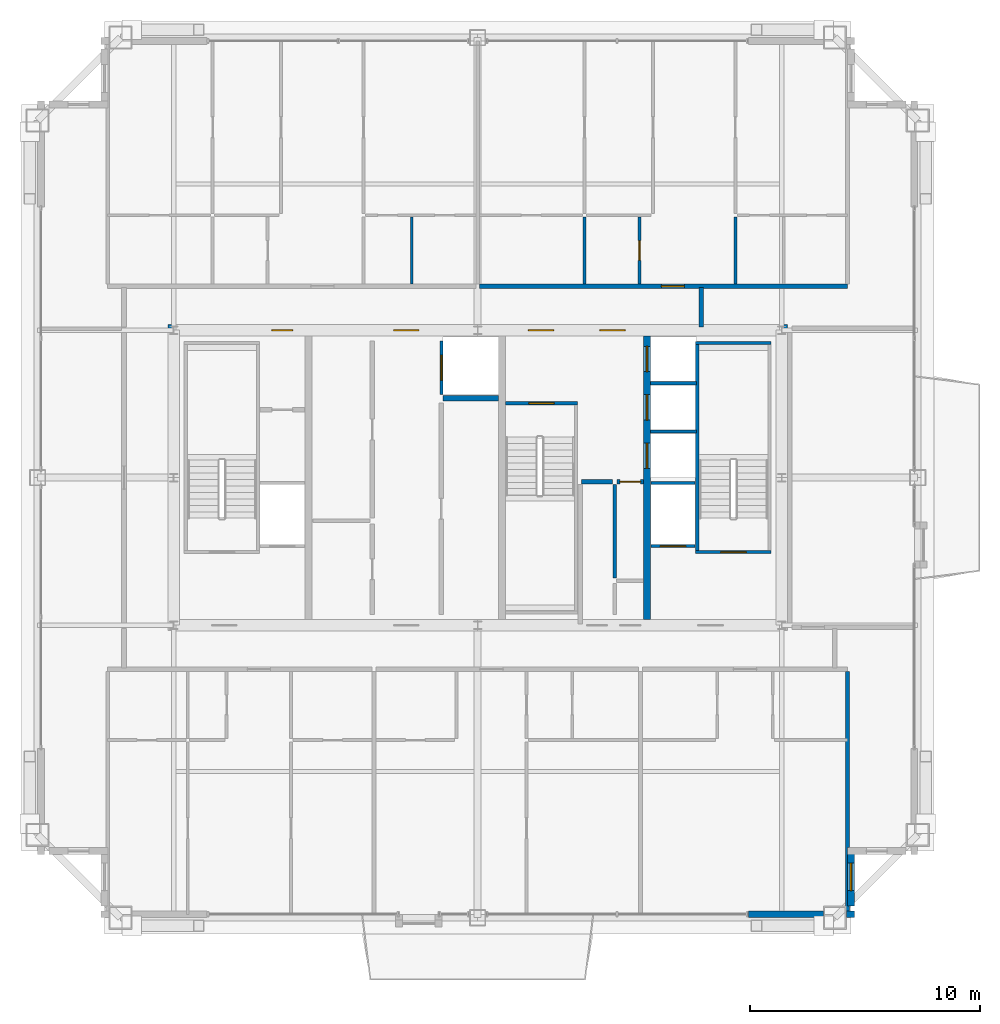
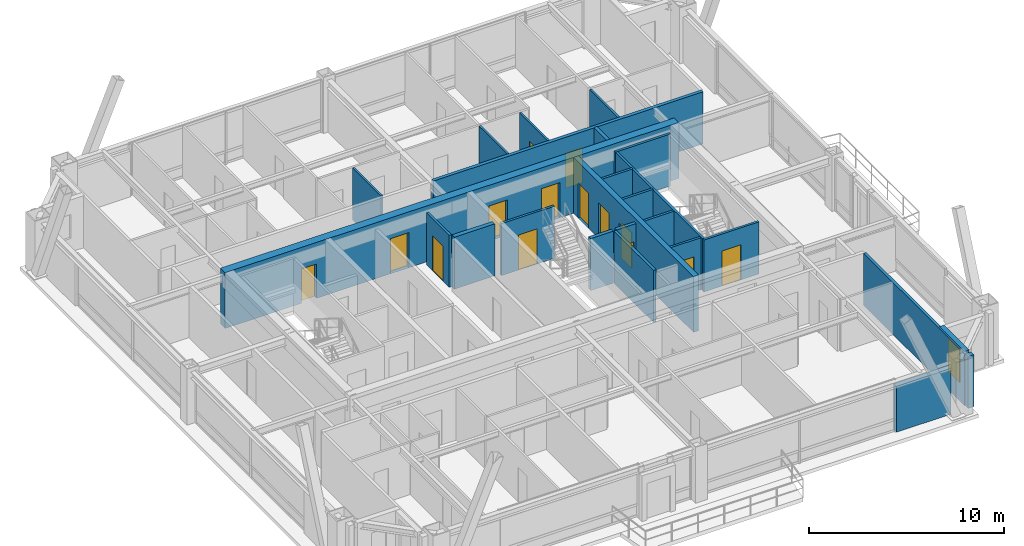
# One storey, part 32 of 35: 25 walls, 14 doors, 1 window, 15 openings.
"""IFC4 building model written with IfcOpenShell, lengths in metres."""

from ifc_helpers import new_model, si_unit, direction, frame, frame_2d, origin, place, context, subcontext, project, spatial, rectangle, extrude, source, transform, mapped, material, layer, layer_set, type_object, element, fill, save


model = new_model("IFC4")

# Units and contexts
model_context = context("Model", 3, precision=1e-05, world=origin(), true_north=direction((0.0, 1.0)))
body_context = subcontext(model_context, "Body", "Model", "MODEL_VIEW")
ifc_project = project(units=[si_unit("LENGTHUNIT", "METRE"), si_unit("AREAUNIT", "SQUARE_METRE"), si_unit("VOLUMEUNIT", "CUBIC_METRE"), si_unit("PLANEANGLEUNIT", "RADIAN"), si_unit("MASSUNIT", "GRAM", prefix="KILO"), si_unit("THERMODYNAMICTEMPERATUREUNIT", "KELVIN"), si_unit("POWERUNIT", "WATT")], contexts=[model_context])

# Site, building, storey
site_placement = place(None, origin())
site = spatial("IfcSite", under=ifc_project, at=site_placement, CompositionType="ELEMENT")
building_placement = place(site_placement, origin())
building = spatial("IfcBuilding", under=site, at=building_placement, Name="Yuzanri Waterfront Tower", CompositionType="ELEMENT")
storey_placement = place(building_placement, frame((0.0, 0.0, 335.699951171875)))
storey = spatial("IfcBuildingStorey", under=building, at=storey_placement, Name="L90", CompositionType="ELEMENT", Elevation=335.699951171875)

# Wall, opening, door
ifc_material_1 = material(Name="Moisture-Resistant Gypsum Stud Wall", Category="gypsum")
ifc_layer_1 = layer(ifc_material_1, 0.1201171875)
ifc_layer_set_1 = layer_set([ifc_layer_1], Name="Moisture-Resistant Gypsum Stud Wall")
wall_type_1 = type_object("IfcWallType", Name="Bathroom and Kitchen Wet Partition 120", PredefinedType="PARTITIONING", material=ifc_layer_set_1)
wall_1_placement = place(storey_placement, frame((44.02197265625, 34.2099609375, 0.0), z_axis=(0.0, 0.0, 1.0), x_axis=(0.0, 1.0, 0.0)))
wall_1 = element("IfcWall", 1, at=wall_1_placement, inside=storey, type_object=wall_type_1, Name="L90 Partition UW-L90-HN2-SUB-2-E", PredefinedType="PARTITIONING", context=body_context, shape_type="SweptSolid", body=[
    extrude(rectangle(XDim=2.900146484375, YDim=0.1201171875, at=frame_2d((1.4501953125, 0.0))), origin(), (0.0, 0.0, 1.0), 3.260009765625),
])
opening_1_placement = place(wall_1_placement, frame((1.02490234375, 0.0, 0.0)))
opening_1 = element("IfcOpeningElement", 2, at=opening_1_placement, cuts=wall_1, Name="Opening ID-0850", PredefinedType="OPENING", context=body_context, shape_type="SweptSolid", body=[
    extrude(rectangle(XDim=0.85009765625, YDim=2.10009765625, at=frame_2d((0.425048828125, 1.050048828125))), frame((0.0, 0.074951171875, 0.0), z_axis=(0.0, -1.0, 0.0), x_axis=(1.0, 0.0, 0.0)), (0.0, 0.0, 1.0), 0.14990234375),
])
ifc_material_2 = material(Name="Moisture-Resistant Lacquered Timber", Category="wood")
door_type_1 = type_object("IfcDoorType", Name="En-Suite Bathroom and Kitchen Swing Door 850x2100", OperationType="NOTDEFINED", PredefinedType="DOOR", material=ifc_material_2)
shared_shape_1 = source(origin(), body_context, "Body", "SweptSolid", [
    extrude(rectangle(XDim=0.85009765625, YDim=2.10009765625, at=frame_2d((0.425048828125, 1.050048828125))), frame((0.0, 0.02490234375, 0.0), z_axis=(0.0, -1.0, 0.0), x_axis=(1.0, 0.0, 0.0)), (0.0, 0.0, 1.0), 0.050048828125),
])
door_1_placement = place(opening_1_placement, origin())
door_1 = element("IfcDoor", 3, at=door_1_placement, inside=storey, type_object=door_type_1, Name="L90 Suite Interior Room Door", OperationType="SINGLE_SWING_RIGHT", OverallHeight=2.10009765625, OverallWidth=0.85009765625, PredefinedType="DOOR", context=body_context, shape_type="MappedRepresentation", body=[
    mapped(shared_shape_1, transform((0.0, 0.0, 0.0), scale=1.0)),
])
fill(opening_1, door_1)

# Wall, opening, window
ifc_material_3 = material(Name="Honed Chongqing Dark Basalt Stone", Category="masonry")
ifc_layer_2 = layer(ifc_material_3, 0.300048828125)
ifc_layer_set_2 = layer_set([ifc_layer_2], Name="Honed Chongqing Dark Basalt Stone")
wall_type_2 = type_object("IfcWallType", Name="Bronze Rainscreen Insulated Spandrel Portal Wall 300", PredefinedType="SOLIDWALL", material=ifc_layer_set_2)
wall_2_placement = place(storey_placement, frame((53.199951171875, 7.199951171875, 0.0), z_axis=(0.0, 0.0, 1.0), x_axis=(0.0, 1.0, 0.0)))
wall_2 = element("IfcWall", 4, at=wall_2_placement, inside=storey, type_object=wall_type_2, Name="L90 Notched Corner Masonry Wall SE-Y", PredefinedType="SOLIDWALL", context=body_context, shape_type="SweptSolid", body=[
    extrude(rectangle(XDim=2.550048828125, YDim=0.300048828125, at=frame_2d((1.27490234375, 0.0))), origin(), (0.0, 0.0, 1.0), 3.260009765625),
])
opening_2_placement = place(wall_2_placement, frame((0.675048828125, 0.0, 0.85009765625)))
opening_2 = element("IfcOpeningElement", 5, at=opening_2_placement, cuts=wall_2, Name="Opening WN-02", PredefinedType="OPENING", context=body_context, shape_type="SweptSolid", body=[
    extrude(rectangle(XDim=1.199951171875, YDim=2.10009765625, at=frame_2d((0.60009765625, 1.050048828125))), frame((0.0, 0.1650390625, 0.0), z_axis=(0.0, -1.0, 0.0), x_axis=(1.0, 0.0, 0.0)), (0.0, 0.0, 1.0), 0.329833984375),
])
ifc_material_4 = material(Name="Double-Silver Low-E Insulated Glass", Category="glass")
window_type = type_object("IfcWindowType", Name="Anodized Bronze Notched Corner Deep-Set Slot Window 1200x2100", PartitioningType="SINGLE_PANEL", PredefinedType="WINDOW", material=ifc_material_4)
shared_shape_2 = source(origin(), body_context, "Body", "SweptSolid", [
    extrude(rectangle(XDim=1.199951171875, YDim=2.10009765625, at=frame_2d((0.60009765625, 1.050048828125))), frame((0.0, 0.030029296875, 0.0), z_axis=(0.0, -1.0, 0.0), x_axis=(1.0, 0.0, 0.0)), (0.0, 0.0, 1.0), 0.06005859375),
])
window_placement = place(opening_2_placement, origin())
window = element("IfcWindow", 6, at=window_placement, inside=storey, type_object=window_type, Name="L90 Notched Corner Window SE-Y", OverallHeight=2.10009765625, OverallWidth=1.199951171875, PartitioningType="SINGLE_PANEL", PredefinedType="WINDOW", context=body_context, shape_type="MappedRepresentation", body=[
    mapped(shared_shape_2, transform((0.0, 0.0, 0.0), scale=1.0)),
])
fill(opening_2, window)

# Wall, openings, doors
ifc_material_5 = material(Name="Concrete C45", Category="concrete")
ifc_layer_3 = layer(ifc_material_5, 0.47998046875)
ifc_layer_set_3 = layer_set([ifc_layer_3], Name="Concrete C45")
wall_type_3 = type_object("IfcWallType", Name="Concrete C45 High-Rise Core Shear Wall 480", PredefinedType="SHEAR", material=ifc_layer_set_3)
wall_3_placement = place(storey_placement, frame((23.56005859375, 32.199951171875, 0.0), z_axis=(0.0, 0.0, 1.0), x_axis=(1.0, 0.0, 0.0)))
wall_3 = element("IfcWall", 7, at=wall_3_placement, inside=storey, type_object=wall_type_3, Name="L90 Core North Shear Wall", PredefinedType="SHEAR", context=body_context, shape_type="SweptSolid", body=[
    extrude(rectangle(XDim=26.8798828125, YDim=0.47998046875, at=frame_2d((13.43994140625, 0.0))), origin(), (0.0, 0.0, 1.0), 3.5),
])
opening_3_placement = place(wall_3_placement, frame((4.510009765625, 0.0, 0.0)))
opening_3 = element("IfcOpeningElement", 8, at=opening_3_placement, cuts=wall_3, Name="Opening FD-0900", PredefinedType="OPENING", context=body_context, shape_type="SweptSolid", body=[
    extrude(rectangle(XDim=0.89990234375, YDim=2.14990234375, at=frame_2d((0.449951171875, 1.074951171875))), frame((0.0, 0.2548828125, 0.0), z_axis=(0.0, -1.0, 0.0), x_axis=(1.0, 0.0, 0.0)), (0.0, 0.0, 1.0), 0.509765625),
])
opening_4_placement = place(wall_3_placement, frame((9.7900390625, 0.0, 0.0)))
opening_4 = element("IfcOpeningElement", 9, at=opening_4_placement, cuts=wall_3, Name="Opening FD-1100", PredefinedType="OPENING", context=body_context, shape_type="SweptSolid", body=[
    extrude(rectangle(XDim=1.10009765625, YDim=2.199951171875, at=frame_2d((0.550048828125, 1.10009765625))), frame((0.0, 0.2548828125, 0.0), z_axis=(0.0, -1.0, 0.0), x_axis=(1.0, 0.0, 0.0)), (0.0, 0.0, 1.0), 0.509765625),
])
opening_5_placement = place(wall_3_placement, frame((15.639892578125, 0.0, 0.0)))
opening_5 = element("IfcOpeningElement", 10, at=opening_5_placement, cuts=wall_3, Name="Opening FD-1100", PredefinedType="OPENING", context=body_context, shape_type="SweptSolid", body=[
    extrude(rectangle(XDim=1.10009765625, YDim=2.199951171875, at=frame_2d((0.550048828125, 1.10009765625))), frame((0.0, 0.2548828125, 0.0), z_axis=(0.0, -1.0, 0.0), x_axis=(1.0, 0.0, 0.0)), (0.0, 0.0, 1.0), 0.509765625),
])
opening_6_placement = place(wall_3_placement, frame((18.739990234375, 0.0, 0.0)))
opening_6 = element("IfcOpeningElement", 11, at=opening_6_placement, cuts=wall_3, Name="Opening FD-1100", PredefinedType="OPENING", context=body_context, shape_type="SweptSolid", body=[
    extrude(rectangle(XDim=1.10009765625, YDim=2.199951171875, at=frame_2d((0.550048828125, 1.10009765625))), frame((0.0, 0.2548828125, 0.0), z_axis=(0.0, -1.0, 0.0), x_axis=(1.0, 0.0, 0.0)), (0.0, 0.0, 1.0), 0.509765625),
])
ifc_material_6 = material(Name="Painted Galvanized Fire Steel", Category="steel")
door_type_2 = type_object("IfcDoorType", Name="Smoke-Proof Stair and Lobby Fire Door 1100x2200", OperationType="NOTDEFINED", PredefinedType="DOOR", material=ifc_material_6)
shared_shape_3 = source(origin(), body_context, "Body", "SweptSolid", [
    extrude(rectangle(XDim=1.10009765625, YDim=2.199951171875, at=frame_2d((0.550048828125, 1.10009765625))), frame((0.0, 0.02490234375, 0.0), z_axis=(0.0, -1.0, 0.0), x_axis=(1.0, 0.0, 0.0)), (0.0, 0.0, 1.0), 0.050048828125),
])
door_2_placement = place(opening_4_placement, origin())
door_2 = element("IfcDoor", 12, at=door_2_placement, inside=storey, type_object=door_type_2, Name="L90 Central Lift Lobby North Door", OperationType="SINGLE_SWING_RIGHT", OverallHeight=2.199951171875, OverallWidth=1.10009765625, PredefinedType="DOOR", context=body_context, shape_type="MappedRepresentation", body=[
    mapped(shared_shape_3, transform((0.0, 0.0, 0.0), scale=1.0)),
])
fill(opening_4, door_2)
door_3_placement = place(opening_5_placement, origin())
door_3 = element("IfcDoor", 13, at=door_3_placement, inside=storey, type_object=door_type_2, Name="L90 North Stair Lobby Door", OperationType="SINGLE_SWING_LEFT", OverallHeight=2.199951171875, OverallWidth=1.10009765625, PredefinedType="DOOR", context=body_context, shape_type="MappedRepresentation", body=[
    mapped(shared_shape_3, transform((0.0, 0.0, 0.0), scale=1.0)),
])
fill(opening_5, door_3)
door_4_placement = place(opening_6_placement, origin())
door_4 = element("IfcDoor", 14, at=door_4_placement, inside=storey, type_object=door_type_2, Name="L90 High-Rise Lift Lobby North Door", OperationType="SINGLE_SWING_RIGHT", OverallHeight=2.199951171875, OverallWidth=1.10009765625, PredefinedType="DOOR", context=body_context, shape_type="MappedRepresentation", body=[
    mapped(shared_shape_3, transform((0.0, 0.0, 0.0), scale=1.0)),
])
fill(opening_6, door_4)
ifc_material_7 = material(Name="Painted Galvanized Fire Steel", Category="steel")
door_type_3 = type_object("IfcDoorType", Name="Riser and Service Room Fire Door 900x2150", OperationType="NOTDEFINED", PredefinedType="DOOR", material=ifc_material_7)
shared_shape_4 = source(origin(), body_context, "Body", "SweptSolid", [
    extrude(rectangle(XDim=0.89990234375, YDim=2.14990234375, at=frame_2d((0.449951171875, 1.074951171875))), frame((0.0, 0.02490234375, 0.0), z_axis=(0.0, -1.0, 0.0), x_axis=(1.0, 0.0, 0.0)), (0.0, 0.0, 1.0), 0.050048828125),
])
door_5_placement = place(opening_3_placement, origin())
door_5 = element("IfcDoor", 15, at=door_5_placement, inside=storey, type_object=door_type_3, Name="L90 Telecom Riser Door", OperationType="SINGLE_SWING_LEFT", OverallHeight=2.14990234375, OverallWidth=0.89990234375, PredefinedType="DOOR", context=body_context, shape_type="MappedRepresentation", body=[
    mapped(shared_shape_4, transform((0.0, 0.0, 0.0), scale=1.0)),
])
fill(opening_3, door_5)

ifc_material_8 = material(Name="Concrete C50", Category="concrete")
ifc_layer_4 = layer(ifc_material_8, 0.300048828125)
ifc_layer_set_4 = layer_set([ifc_layer_4], Name="Concrete C50")
wall_type_4 = type_object("IfcWallType", Name="Concrete C50 Internal Core Shaft Structural Wall 300", PredefinedType="SOLIDWALL", material=ifc_layer_set_4)
wall_4_placement = place(storey_placement, frame((44.35009765625, 19.639892578125, 0.0), z_axis=(0.0, 0.0, 1.0), x_axis=(0.0, 1.0, 0.0)))
wall_4 = element("IfcWall", 16, at=wall_4_placement, inside=storey, type_object=wall_type_4, Name="L90 Core Internal Structural Web Wall 3", PredefinedType="SOLIDWALL", context=body_context, shape_type="SweptSolid", body=[
    extrude(rectangle(XDim=12.320068359375, YDim=0.300048828125, at=frame_2d((6.16015625, 0.0))), origin(), (0.0, 0.0, 1.0), 3.5),
])
opening_7_placement = place(wall_4_placement, frame((6.56005859375, 0.0, 0.0)))
opening_7 = element("IfcOpeningElement", 17, at=opening_7_placement, cuts=wall_4, Name="Opening LD-PL-09", PredefinedType="OPENING", context=body_context, shape_type="SweptSolid", body=[
    extrude(rectangle(XDim=1.10009765625, YDim=2.199951171875, at=frame_2d((0.550048828125, 1.10009765625))), frame((0.0, 0.1650390625, 0.0), z_axis=(0.0, -1.0, 0.0), x_axis=(1.0, 0.0, 0.0)), (0.0, 0.0, 1.0), 0.329833984375),
])
opening_8_placement = place(wall_4_placement, frame((8.659912109375, 0.0, 0.0)))
opening_8 = element("IfcOpeningElement", 18, at=opening_8_placement, cuts=wall_4, Name="Opening LD-PL-10", PredefinedType="OPENING", context=body_context, shape_type="SweptSolid", body=[
    extrude(rectangle(XDim=1.10009765625, YDim=2.199951171875, at=frame_2d((0.550048828125, 1.10009765625))), frame((0.0, 0.1650390625, 0.0), z_axis=(0.0, -1.0, 0.0), x_axis=(1.0, 0.0, 0.0)), (0.0, 0.0, 1.0), 0.329833984375),
])
opening_9_placement = place(wall_4_placement, frame((10.760009765625, 0.0, 0.0)))
opening_9 = element("IfcOpeningElement", 19, at=opening_9_placement, cuts=wall_4, Name="Opening LD-PL-11", PredefinedType="OPENING", context=body_context, shape_type="SweptSolid", body=[
    extrude(rectangle(XDim=1.10009765625, YDim=2.199951171875, at=frame_2d((0.550048828125, 1.10009765625))), frame((0.0, 0.1650390625, 0.0), z_axis=(0.0, -1.0, 0.0), x_axis=(1.0, 0.0, 0.0)), (0.0, 0.0, 1.0), 0.329833984375),
])
ifc_material_9 = material(Name="Brushed Bronze and Stainless Steel Cab", Category="steel")
door_type_4 = type_object("IfcDoorType", Name="Center-Parting Bronze Lift Landing Sliding Door 1100x2200", OperationType="NOTDEFINED", PredefinedType="DOOR", material=ifc_material_9)
shared_shape_5 = source(origin(), body_context, "Body", "SweptSolid", [
    extrude(rectangle(XDim=1.10009765625, YDim=2.199951171875, at=frame_2d((0.550048828125, 1.10009765625))), frame((0.0, 0.02490234375, 0.0), z_axis=(0.0, -1.0, 0.0), x_axis=(1.0, 0.0, 0.0)), (0.0, 0.0, 1.0), 0.050048828125),
])
door_6_placement = place(opening_7_placement, origin())
door_6 = element("IfcDoor", 20, at=door_6_placement, inside=storey, type_object=door_type_4, Name="L90 PL-09 Lift Landing Sliding Door", OperationType="SLIDING_TO_LEFT", OverallHeight=2.199951171875, OverallWidth=1.10009765625, PredefinedType="DOOR", context=body_context, shape_type="MappedRepresentation", body=[
    mapped(shared_shape_5, transform((0.0, 0.0, 0.0), scale=1.0)),
])
fill(opening_7, door_6)
door_7_placement = place(opening_8_placement, origin())
door_7 = element("IfcDoor", 21, at=door_7_placement, inside=storey, type_object=door_type_4, Name="L90 PL-10 Lift Landing Sliding Door", OperationType="SLIDING_TO_RIGHT", OverallHeight=2.199951171875, OverallWidth=1.10009765625, PredefinedType="DOOR", context=body_context, shape_type="MappedRepresentation", body=[
    mapped(shared_shape_5, transform((0.0, 0.0, 0.0), scale=1.0)),
])
fill(opening_8, door_7)
door_8_placement = place(opening_9_placement, origin())
door_8 = element("IfcDoor", 22, at=door_8_placement, inside=storey, type_object=door_type_4, Name="L90 PL-11 Lift Landing Sliding Door", OperationType="SLIDING_TO_LEFT", OverallHeight=2.199951171875, OverallWidth=1.10009765625, PredefinedType="DOOR", context=body_context, shape_type="MappedRepresentation", body=[
    mapped(shared_shape_5, transform((0.0, 0.0, 0.0), scale=1.0)),
])
fill(opening_9, door_8)

# Wall, opening, door
ifc_material_10 = material(Name="Concrete C40", Category="concrete")
ifc_layer_5 = layer(ifc_material_10, 0.139892578125)
ifc_layer_set_5 = layer_set([ifc_layer_5], Name="Concrete C40")
wall_type_5 = type_object("IfcWallType", Name="Core Stair Liner and Hoistway Shaft Wall 140", PredefinedType="SOLIDWALL", material=ifc_layer_set_5)
wall_5_placement = place(storey_placement, frame((44.52001953125, 22.830078125, 0.0), z_axis=(0.0, 0.0, 1.0), x_axis=(1.0, 0.0, 0.0)))
wall_5 = element("IfcWall", 23, at=wall_5_placement, inside=storey, type_object=wall_type_5, Name="L90 Lift FL-02 Front Shaft Wall", PredefinedType="SOLIDWALL", context=body_context, shape_type="SweptSolid", body=[
    extrude(rectangle(XDim=1.919921875, YDim=0.139892578125, at=frame_2d((0.9599609375, 0.0))), origin(), (0.0, 0.0, 1.0), 3.260009765625),
])
opening_10_placement = place(wall_5_placement, frame((0.409912109375, 0.0, 0.0)))
opening_10 = element("IfcOpeningElement", 24, at=opening_10_placement, cuts=wall_5, Name="Opening LD-FL-02", PredefinedType="OPENING", context=body_context, shape_type="SweptSolid", body=[
    extrude(rectangle(XDim=1.10009765625, YDim=2.199951171875, at=frame_2d((0.550048828125, 1.10009765625))), frame((0.0, 0.0849609375, 0.0), z_axis=(0.0, -1.0, 0.0), x_axis=(1.0, 0.0, 0.0)), (0.0, 0.0, 1.0), 0.169677734375),
])
door_9_placement = place(opening_10_placement, origin())
door_9 = element("IfcDoor", 25, at=door_9_placement, inside=storey, type_object=door_type_4, Name="L90 FL-02 Lift Landing Sliding Door", OperationType="SLIDING_TO_RIGHT", OverallHeight=2.199951171875, OverallWidth=1.10009765625, PredefinedType="DOOR", context=body_context, shape_type="MappedRepresentation", body=[
    mapped(shared_shape_5, transform((0.0, 0.0, 0.0), scale=1.0)),
])
fill(opening_10, door_9)

wall_6_placement = place(storey_placement, frame((35.429931640625, 29.39990234375, 0.0), z_axis=(0.0, 0.0, 1.0), x_axis=(0.0, 1.0, 0.0)))
wall_6 = element("IfcWall", 26, at=wall_6_placement, inside=storey, type_object=wall_type_5, Name="L90 Lift SL-02 Front Shaft Wall", PredefinedType="SOLIDWALL", context=body_context, shape_type="SweptSolid", body=[
    extrude(rectangle(XDim=2.340087890625, YDim=0.139892578125, at=frame_2d((1.169921875, 0.0))), origin(), (0.0, 0.0, 1.0), 3.260009765625),
])
opening_11_placement = place(wall_6_placement, frame((0.6201171875, 0.0, 0.0)))
opening_11 = element("IfcOpeningElement", 27, at=opening_11_placement, cuts=wall_6, Name="Opening LD-SL-02", PredefinedType="OPENING", context=body_context, shape_type="SweptSolid", body=[
    extrude(rectangle(XDim=1.10009765625, YDim=2.199951171875, at=frame_2d((0.550048828125, 1.10009765625))), frame((0.0, 0.0849609375, 0.0), z_axis=(0.0, -1.0, 0.0), x_axis=(1.0, 0.0, 0.0)), (0.0, 0.0, 1.0), 0.169677734375),
])
door_10_placement = place(opening_11_placement, origin())
door_10 = element("IfcDoor", 28, at=door_10_placement, inside=storey, type_object=door_type_4, Name="L90 SL-02 Lift Landing Sliding Door", OperationType="SLIDING_TO_RIGHT", OverallHeight=2.199951171875, OverallWidth=1.10009765625, PredefinedType="DOOR", context=body_context, shape_type="MappedRepresentation", body=[
    mapped(shared_shape_5, transform((0.0, 0.0, 0.0), scale=1.0)),
])
fill(opening_11, door_10)

wall_7_placement = place(storey_placement, frame((46.4599609375, 22.570068359375, 0.0), z_axis=(0.0, 0.0, 1.0), x_axis=(1.0, 0.0, 0.0)))
wall_7 = element("IfcWall", 29, at=wall_7_placement, inside=storey, type_object=wall_type_5, Name="L90 Shaft Wall STW-L90-ST-02-S", PredefinedType="SOLIDWALL", context=body_context, shape_type="SweptSolid", body=[
    extrude(rectangle(XDim=3.280029296875, YDim=0.139892578125, at=frame_2d((1.64013671875, 0.0))), origin(), (0.0, 0.0, 1.0), 3.260009765625),
])
opening_12_placement = place(wall_7_placement, frame((1.090087890625, 0.0, 0.0)))
opening_12 = element("IfcOpeningElement", 30, at=opening_12_placement, cuts=wall_7, Name="Opening FD-1100", PredefinedType="OPENING", context=body_context, shape_type="SweptSolid", body=[
    extrude(rectangle(XDim=1.10009765625, YDim=2.199951171875, at=frame_2d((0.550048828125, 1.10009765625))), frame((0.0, 0.0849609375, 0.0), z_axis=(0.0, -1.0, 0.0), x_axis=(1.0, 0.0, 0.0)), (0.0, 0.0, 1.0), 0.169677734375),
])
door_11_placement = place(opening_12_placement, origin())
door_11 = element("IfcDoor", 31, at=door_11_placement, inside=storey, type_object=door_type_2, Name="L90 Stair ST-02 Fire Door", OperationType="SINGLE_SWING_RIGHT", OverallHeight=2.199951171875, OverallWidth=1.10009765625, PredefinedType="DOOR", context=body_context, shape_type="MappedRepresentation", body=[
    mapped(shared_shape_3, transform((0.0, 0.0, 0.0), scale=1.0)),
])
fill(opening_12, door_11)

wall_8_placement = place(storey_placement, frame((38.199951171875, 29.030029296875, 0.0), z_axis=(0.0, 0.0, 1.0), x_axis=(1.0, 0.0, 0.0)))
wall_8 = element("IfcWall", 32, at=wall_8_placement, inside=storey, type_object=wall_type_5, Name="L90 Shaft Wall STW-L90-ST-03-N", PredefinedType="SOLIDWALL", context=body_context, shape_type="SweptSolid", body=[
    extrude(rectangle(XDim=3.14013671875, YDim=0.139892578125, at=frame_2d((1.570068359375, 0.0))), origin(), (0.0, 0.0, 1.0), 3.260009765625),
])
opening_13_placement = place(wall_8_placement, frame((1.02001953125, 0.0, 0.0)))
opening_13 = element("IfcOpeningElement", 33, at=opening_13_placement, cuts=wall_8, Name="Opening FD-1100", PredefinedType="OPENING", context=body_context, shape_type="SweptSolid", body=[
    extrude(rectangle(XDim=1.10009765625, YDim=2.199951171875, at=frame_2d((0.550048828125, 1.10009765625))), frame((0.0, 0.0849609375, 0.0), z_axis=(0.0, -1.0, 0.0), x_axis=(1.0, 0.0, 0.0)), (0.0, 0.0, 1.0), 0.169677734375),
])
door_12_placement = place(opening_13_placement, origin())
door_12 = element("IfcDoor", 34, at=door_12_placement, inside=storey, type_object=door_type_2, Name="L90 Stair ST-03 Fire Door", OperationType="SINGLE_SWING_LEFT", OverallHeight=2.199951171875, OverallWidth=1.10009765625, PredefinedType="DOOR", context=body_context, shape_type="MappedRepresentation", body=[
    mapped(shared_shape_3, transform((0.0, 0.0, 0.0), scale=1.0)),
])
fill(opening_13, door_12)

ifc_material_11 = material(Name="Autoclaved Aerated Concrete Blockwork", Category="masonry")
ifc_layer_6 = layer(ifc_material_11, 0.199951171875)
ifc_layer_set_6 = layer_set([ifc_layer_6], Name="Autoclaved Aerated Concrete Blockwork")
wall_type_6 = type_object("IfcWallType", Name="Corridor and Unit Party Fire Wall 200", PredefinedType="PARTITIONING", material=ifc_layer_set_6)
wall_9_placement = place(storey_placement, frame((43.050048828125, 25.6201171875, 0.0), z_axis=(0.0, 0.0, 1.0), x_axis=(1.0, 0.0, 0.0)))
wall_9 = element("IfcWall", 35, at=wall_9_placement, inside=storey, type_object=wall_type_6, Name="L90 Partition CRW-L90-BOHH-2", PredefinedType="PARTITIONING", context=body_context, shape_type="SweptSolid", body=[
    extrude(rectangle(XDim=1.14990234375, YDim=0.199951171875, at=frame_2d((0.574951171875, 0.0))), origin(), (0.0, 0.0, 1.0), 3.260009765625),
])
opening_14_placement = place(wall_9_placement, frame((0.1201171875, 0.0, 0.0)))
opening_14 = element("IfcOpeningElement", 36, at=opening_14_placement, cuts=wall_9, Name="Opening FD-0900", PredefinedType="OPENING", context=body_context, shape_type="SweptSolid", body=[
    extrude(rectangle(XDim=0.89990234375, YDim=2.14990234375, at=frame_2d((0.449951171875, 1.074951171875))), frame((0.0, 0.11474609375, 0.0), z_axis=(0.0, -1.0, 0.0), x_axis=(1.0, 0.0, 0.0)), (0.0, 0.0, 1.0), 0.229736328125),
])
door_13_placement = place(opening_14_placement, origin())
door_13 = element("IfcDoor", 37, at=door_13_placement, inside=storey, type_object=door_type_3, Name="L90 Linen Store Room", OperationType="SINGLE_SWING_LEFT", OverallHeight=2.14990234375, OverallWidth=0.89990234375, PredefinedType="DOOR", context=body_context, shape_type="MappedRepresentation", body=[
    mapped(shared_shape_4, transform((0.0, 0.0, 0.0), scale=1.0)),
])
fill(opening_14, door_13)

wall_10_placement = place(storey_placement, frame((37.080078125, 34.110107421875, 0.0), z_axis=(0.0, 0.0, 1.0), x_axis=(1.0, 0.0, 0.0)))
wall_10 = element("IfcWall", 38, at=wall_10_placement, inside=storey, type_object=wall_type_6, Name="L90 Partition UW-L90-HN2-CS", PredefinedType="PARTITIONING", context=body_context, shape_type="SweptSolid", body=[
    extrude(rectangle(XDim=15.97998046875, YDim=0.199951171875, at=frame_2d((7.989990234375, 0.0))), origin(), (0.0, 0.0, 1.0), 3.260009765625),
])
opening_15_placement = place(wall_10_placement, frame((7.887939453125, 0.0, 0.0)))
opening_15 = element("IfcOpeningElement", 39, at=opening_15_placement, cuts=wall_10, Name="Opening FD-1000", PredefinedType="OPENING", context=body_context, shape_type="SweptSolid", body=[
    extrude(rectangle(XDim=1.0, YDim=2.199951171875, at=frame_2d((0.5, 1.10009765625))), frame((0.0, 0.11474609375, 0.0), z_axis=(0.0, -1.0, 0.0), x_axis=(1.0, 0.0, 0.0)), (0.0, 0.0, 1.0), 0.229736328125),
])
ifc_material_12 = material(Name="Engineered Oak Fire-Rated Timber", Category="wood")
door_type_5 = type_object("IfcDoorType", Name="Guestroom and Apartment Entrance Fire Door 1000x2200", OperationType="NOTDEFINED", PredefinedType="DOOR", material=ifc_material_12)
shared_shape_6 = source(origin(), body_context, "Body", "SweptSolid", [
    extrude(rectangle(XDim=1.0, YDim=2.199951171875, at=frame_2d((0.5, 1.10009765625))), frame((0.0, 0.02490234375, 0.0), z_axis=(0.0, -1.0, 0.0), x_axis=(1.0, 0.0, 0.0)), (0.0, 0.0, 1.0), 0.050048828125),
])
door_14_placement = place(opening_15_placement, origin())
door_14 = element("IfcDoor", 40, at=door_14_placement, inside=storey, type_object=door_type_5, Name="L90 Apartment Living and Dining Salon Entrance Door", OperationType="SINGLE_SWING_RIGHT", OverallHeight=2.199951171875, OverallWidth=1.0, PredefinedType="DOOR", context=body_context, shape_type="MappedRepresentation", body=[
    mapped(shared_shape_6, transform((0.0, 0.0, 0.0), scale=1.0)),
])
fill(opening_15, door_14)

# Walls
shared_shape_7 = source(origin(), body_context, "Body", "SweptSolid", [
    extrude(rectangle(XDim=0.35009765625, YDim=0.300048828125, at=frame_2d((0.175048828125, 0.0))), origin(), (0.0, 0.0, 1.0), 3.260009765625),
])
wall_11_placement = place(storey_placement, frame((53.0, 6.85009765625, 0.0), z_axis=(0.0, 0.0, 1.0), x_axis=(1.0, 0.0, 0.0)))
element("IfcWall", 41, at=wall_11_placement, inside=storey, type_object=wall_type_2, Name="L90 Corner Column Shoulder Return CSE", PredefinedType="SOLIDWALL", context=body_context, shape_type="MappedRepresentation", body=[
    mapped(shared_shape_7, transform((0.0, 0.0, 0.0), scale=1.0)),
])
shared_shape_8 = source(origin(), body_context, "Body", "SweptSolid", [
    extrude(rectangle(XDim=3.25, YDim=0.300048828125, at=frame_2d((1.625, 0.0))), origin(), (0.0, 0.0, 1.0), 2.864990234375),
])
wall_12_placement = place(storey_placement, frame((48.75, 6.85009765625, 0.0), z_axis=(0.0, 0.0, 1.0), x_axis=(1.0, 0.0, 0.0)))
element("IfcWall", 42, at=wall_12_placement, inside=storey, type_object=wall_type_2, Name="L90 S Right Braced Masonry Shoulder", PredefinedType="SOLIDWALL", context=body_context, shape_type="MappedRepresentation", body=[
    mapped(shared_shape_8, transform((0.0, 0.0, 0.0), scale=1.0)),
])
shared_shape_9 = source(origin(), body_context, "Body", "SweptSolid", [
    extrude(rectangle(XDim=1.919921875, YDim=0.139892578125, at=frame_2d((0.9599609375, 0.0))), origin(), (0.0, 0.0, 1.0), 3.260009765625),
])
wall_13_placement = place(storey_placement, frame((44.52001953125, 25.570068359375, 0.0), z_axis=(0.0, 0.0, 1.0), x_axis=(1.0, 0.0, 0.0)))
element("IfcWall", 43, at=wall_13_placement, inside=storey, type_object=wall_type_5, Name="L90 Lift FL-02 Back Shaft Wall", PredefinedType="SOLIDWALL", context=body_context, shape_type="MappedRepresentation", body=[
    mapped(shared_shape_9, transform((0.0, 0.0, 0.0), scale=1.0)),
])
ifc_material_13 = material(Name="Concrete C40", Category="concrete")
ifc_layer_7 = layer(ifc_material_13, 0.25)
ifc_layer_set_7 = layer_set([ifc_layer_7], Name="Concrete C40")
wall_type_7 = type_object("IfcWallType", Name="Smoke-Proof Stair and Lift Shaft Wall 250", PredefinedType="SOLIDWALL", material=ifc_layer_set_7)
shared_shape_10 = source(origin(), body_context, "Body", "SweptSolid", [
    extrude(rectangle(XDim=2.39990234375, YDim=0.25, at=frame_2d((1.199951171875, 0.0))), origin(), (0.0, 0.0, 1.0), 3.260009765625),
])
wall_14_placement = place(storey_placement, frame((35.5, 29.25, 0.0), z_axis=(0.0, 0.0, 1.0), x_axis=(1.0, 0.0, 0.0)))
element("IfcWall", 44, at=wall_14_placement, inside=storey, type_object=wall_type_7, Name="L90 Lift SL-02 South Shaft Wall", PredefinedType="SOLIDWALL", context=body_context, shape_type="MappedRepresentation", body=[
    mapped(shared_shape_10, transform((0.0, 0.0, 0.0), scale=1.0)),
])
shared_shape_11 = source(origin(), body_context, "Body", "SweptSolid", [
    extrude(rectangle(XDim=2.0, YDim=0.139892578125, at=frame_2d((1.0, 0.0))), origin(), (0.0, 0.0, 1.0), 3.260009765625),
])
for number, where, z_axis, x_axis, name in (
    (45, (44.5, 27.800048828125, 0.0), (0.0, 0.0, 1.0), (1.0, 0.0, 0.0), "L90 Lift PL-09 Divider Wall"),
    (46, (44.5, 29.89990234375, 0.0), (0.0, 0.0, 1.0), (1.0, 0.0, 0.0), "L90 Lift PL-10 Divider Wall"),
):
    element("IfcWall", number, at=place(storey_placement, frame(where, z_axis=z_axis, x_axis=x_axis)), inside=storey, type_object=wall_type_5, Name=name, PredefinedType="SOLIDWALL", context=body_context, shape_type="MappedRepresentation", body=[
        mapped(shared_shape_11, transform((0.0, 0.0, 0.0), scale=1.0)),
    ])
shared_shape_12 = source(origin(), body_context, "Body", "SweptSolid", [
    extrude(rectangle(XDim=3.280029296875, YDim=0.139892578125, at=frame_2d((1.64013671875, 0.0))), origin(), (0.0, 0.0, 1.0), 3.260009765625),
])
wall_15_placement = place(storey_placement, frame((46.4599609375, 31.64990234375, 0.0), z_axis=(0.0, 0.0, 1.0), x_axis=(1.0, 0.0, 0.0)))
element("IfcWall", 47, at=wall_15_placement, inside=storey, type_object=wall_type_5, Name="L90 Stair ST-02 North Shaft Wall", PredefinedType="SOLIDWALL", context=body_context, shape_type="MappedRepresentation", body=[
    mapped(shared_shape_12, transform((0.0, 0.0, 0.0), scale=1.0)),
])
shared_shape_13 = source(origin(), body_context, "Body", "SweptSolid", [
    extrude(rectangle(XDim=8.940185546875, YDim=0.139892578125, at=frame_2d((4.47021484375, 0.0))), origin(), (0.0, 0.0, 1.0), 3.260009765625),
])
wall_16_placement = place(storey_placement, frame((46.530029296875, 22.639892578125, 0.0), z_axis=(0.0, 0.0, 1.0), x_axis=(0.0, 1.0, 0.0)))
element("IfcWall", 48, at=wall_16_placement, inside=storey, type_object=wall_type_5, Name="L90 Stair ST-02 West Shaft Wall", PredefinedType="SOLIDWALL", context=body_context, shape_type="MappedRepresentation", body=[
    mapped(shared_shape_13, transform((0.0, 0.0, 0.0), scale=1.0)),
])
shared_shape_14 = source(origin(), body_context, "Body", "SweptSolid", [
    extrude(rectangle(XDim=1.35009765625, YDim=0.199951171875, at=frame_2d((0.675048828125, 0.0))), origin(), (0.0, 0.0, 1.0), 3.260009765625),
])
wall_17_placement = place(storey_placement, frame((41.5, 25.6201171875, 0.0), z_axis=(0.0, 0.0, 1.0), x_axis=(1.0, 0.0, 0.0)))
element("IfcWall", 49, at=wall_17_placement, inside=storey, type_object=wall_type_6, Name="L90 Core BOH Split Wall 1", PredefinedType="PARTITIONING", context=body_context, shape_type="MappedRepresentation", body=[
    mapped(shared_shape_14, transform((0.0, 0.0, 0.0), scale=1.0)),
])
ifc_material_14 = material(Name="Gypsum Fireboard Acoustic Stud Wall", Category="gypsum")
ifc_layer_8 = layer(ifc_material_14, 0.159912109375)
ifc_layer_set_8 = layer_set([ifc_layer_8], Name="Gypsum Fireboard Acoustic Stud Wall")
wall_type_8 = type_object("IfcWallType", Name="Acoustic Suite Demising Partition 160", PredefinedType="PARTITIONING", material=ifc_layer_set_8)
shared_shape_15 = source(origin(), body_context, "Body", "SweptSolid", [
    extrude(rectangle(XDim=4.06005859375, YDim=0.159912109375, at=frame_2d((2.030029296875, 0.0))), origin(), (0.0, 0.0, 1.0), 3.260009765625),
])
wall_18_placement = place(storey_placement, frame((42.949951171875, 21.43994140625, 0.0), z_axis=(0.0, 0.0, 1.0), x_axis=(0.0, 1.0, 0.0)))
element("IfcWall", 50, at=wall_18_placement, inside=storey, type_object=wall_type_8, Name="L90 Core BOH Mid Wall 2", PredefinedType="PARTITIONING", context=body_context, shape_type="MappedRepresentation", body=[
    mapped(shared_shape_15, transform((0.0, 0.0, 0.0), scale=1.0)),
])
shared_shape_16 = source(origin(), body_context, "Body", "SweptSolid", [
    extrude(rectangle(XDim=1.699951171875, YDim=0.199951171875, at=frame_2d((0.85009765625, 0.0))), origin(), (0.0, 0.0, 1.0), 3.260009765625),
])
wall_19_placement = place(storey_placement, frame((46.699951171875, 32.35009765625, 0.0), z_axis=(0.0, 0.0, 1.0), x_axis=(0.0, 1.0, 0.0)))
element("IfcWall", 51, at=wall_19_placement, inside=storey, type_object=wall_type_6, Name="L90 North Foyer East End Wall", PredefinedType="PARTITIONING", context=body_context, shape_type="MappedRepresentation", body=[
    mapped(shared_shape_16, transform((0.0, 0.0, 0.0), scale=1.0)),
])
shared_shape_17 = source(origin(), body_context, "Body", "SweptSolid", [
    extrude(rectangle(XDim=10.389892578125, YDim=0.159912109375, at=frame_2d((5.19482421875, 0.0))), origin(), (0.0, 0.0, 1.0), 3.260009765625),
])
wall_20_placement = place(storey_placement, frame((53.050048828125, 7.0, 0.0), z_axis=(0.0, 0.0, 1.0), x_axis=(0.0, 1.0, 0.0)))
element("IfcWall", 52, at=wall_20_placement, inside=storey, type_object=wall_type_8, Name="L90 South Band East End Wall", PredefinedType="PARTITIONING", context=body_context, shape_type="MappedRepresentation", body=[
    mapped(shared_shape_17, transform((0.0, 0.0, 0.0), scale=1.0)),
])
shared_shape_18 = source(origin(), body_context, "Body", "SweptSolid", [
    extrude(rectangle(XDim=2.900146484375, YDim=0.1201171875, at=frame_2d((1.4501953125, 0.0))), origin(), (0.0, 0.0, 1.0), 3.260009765625),
])
for number, where, z_axis, x_axis, name in (
    (53, (34.139892578125, 34.2099609375, 0.0), (0.0, 0.0, 1.0), (0.0, 1.0, 0.0), "L90 Partition UW-L90-HN1-SUB-3-W"),
    (54, (41.634033203125, 34.2099609375, 0.0), (0.0, 0.0, 1.0), (0.0, 1.0, 0.0), "L90 Partition UW-L90-HN2-SUB-1-E"),
    (55, (48.18603515625, 34.2099609375, 0.0), (0.0, 0.0, 1.0), (0.0, 1.0, 0.0), "L90 Partition UW-L90-HN2-SUB-4-W"),
):
    element("IfcWall", number, at=place(storey_placement, frame(where, z_axis=z_axis, x_axis=x_axis)), inside=storey, type_object=wall_type_1, Name=name, PredefinedType="PARTITIONING", context=body_context, shape_type="MappedRepresentation", body=[
        mapped(shared_shape_18, transform((0.0, 0.0, 0.0), scale=1.0)),
    ])

save(model, "model.ifc")
